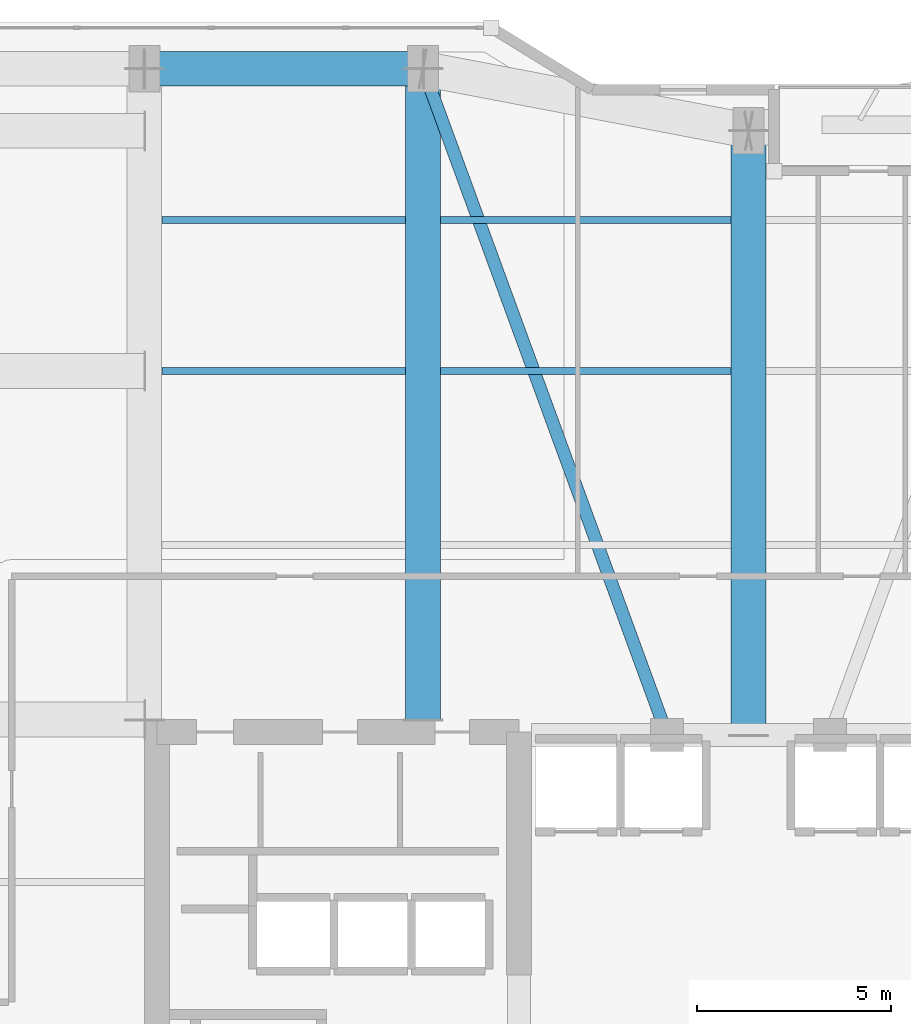
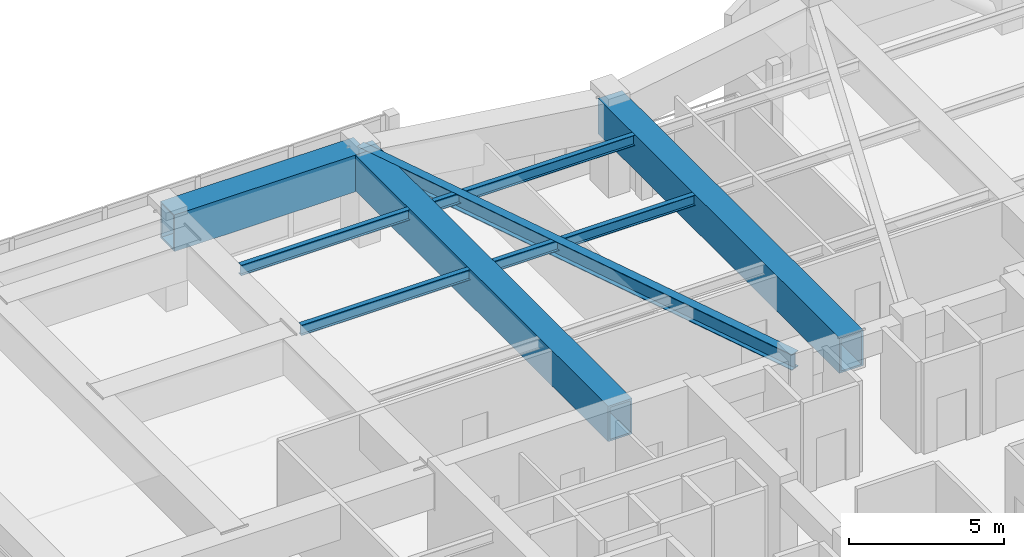
# One storey, part 18 of 30: 8 beams.
"""IFC4 building model written with IfcOpenShell, lengths in metres."""

from ifc_helpers import new_model, si_unit, direction, frame, origin, origin_2d, place, context, subcontext, project, spatial, hollow_rectangle, i_section, extrude, material, material_profile, profile_set, type_object, element, save


model = new_model("IFC4")

# Units and contexts
model_context = context("Model", 3, precision=1e-05, world=origin(), true_north=direction((0.0, 1.0)))
body_context = subcontext(model_context, "Body", "Model", "MODEL_VIEW")
ifc_project = project(units=[si_unit("LENGTHUNIT", "METRE"), si_unit("AREAUNIT", "SQUARE_METRE"), si_unit("VOLUMEUNIT", "CUBIC_METRE"), si_unit("PLANEANGLEUNIT", "RADIAN"), si_unit("MASSUNIT", "GRAM", prefix="KILO")], contexts=[model_context])

# Site, building, storey
site_placement = place(None, origin())
site = spatial("IfcSite", under=ifc_project, at=site_placement, CompositionType="ELEMENT")
building_placement = place(site_placement, origin())
building = spatial("IfcBuilding", under=site, at=building_placement, Name="Kiyonajd Concourse Tower", CompositionType="ELEMENT")
storey_placement = place(building_placement, frame((0.0, 0.0, 205.800048828125)))
storey = spatial("IfcBuildingStorey", under=building, at=storey_placement, Name="L52", CompositionType="ELEMENT", Elevation=205.800048828125)

# Beams
ifc_material_1 = material(Name="Steel ASTM A992 Grade 50", Category="steel")
ifc_material_profile_1 = material_profile(ifc_material_1, i_section(OverallWidth=0.180908203125, OverallDepth=0.4169921875, WebThickness=0.010986328125, FlangeThickness=0.018310546875, at=origin_2d()), Name="W410X85")
ifc_profile_set_1 = profile_set([ifc_material_profile_1], Name="Steel ASTM A992 Grade 50")
beam_type_1 = type_object("IfcBeamType", Name="BM-JST-410", PredefinedType="JOIST", material=ifc_profile_set_1)
beam_1_placement = place(storey_placement, frame((32.85009765625, 53.39990234375, 3.391357421875), z_axis=(1.0, 0.0, 0.0), x_axis=(0.0, 1.0, 0.0)))
element("IfcBeam", 1, at=beam_1_placement, inside=storey, type_object=beam_type_1, Name="L52 Secondary Floor Joist", PredefinedType="JOIST", context=body_context, shape_type="SweptSolid", body=[
    extrude(i_section(OverallWidth=0.180908203125, OverallDepth=0.4169921875, WebThickness=0.010986328125, FlangeThickness=0.018310546875, at=origin_2d()), origin(), (0.0, 0.0, 1.0), 6.2998046875),
])
beam_2_placement = place(storey_placement, frame((40.050048828125, 53.39990234375, 3.391357421875), z_axis=(1.0, 0.0, 0.0), x_axis=(0.0, 1.0, 0.0)))
element("IfcBeam", 2, at=beam_2_placement, inside=storey, type_object=beam_type_1, Name="L52 Secondary Floor Joist", PredefinedType="JOIST", context=body_context, shape_type="SweptSolid", body=[
    extrude(i_section(OverallWidth=0.180908203125, OverallDepth=0.4169921875, WebThickness=0.010986328125, FlangeThickness=0.018310546875, at=origin_2d()), origin(), (0.0, 0.0, 1.0), 7.5),
])
beam_3_placement = place(storey_placement, frame((32.85009765625, 57.300048828125, 3.391357421875), z_axis=(1.0, 0.0, 0.0), x_axis=(0.0, 1.0, 0.0)))
element("IfcBeam", 3, at=beam_3_placement, inside=storey, type_object=beam_type_1, Name="L52 Secondary Floor Joist", PredefinedType="JOIST", context=body_context, shape_type="SweptSolid", body=[
    extrude(i_section(OverallWidth=0.180908203125, OverallDepth=0.4169921875, WebThickness=0.010986328125, FlangeThickness=0.018310546875, at=origin_2d()), origin(), (0.0, 0.0, 1.0), 6.2998046875),
])
beam_4_placement = place(storey_placement, frame((40.050048828125, 57.300048828125, 3.391357421875), z_axis=(1.0, 0.0, 0.0), x_axis=(0.0, 1.0, 0.0)))
element("IfcBeam", 4, at=beam_4_placement, inside=storey, type_object=beam_type_1, Name="L52 Secondary Floor Joist", PredefinedType="JOIST", context=body_context, shape_type="SweptSolid", body=[
    extrude(i_section(OverallWidth=0.180908203125, OverallDepth=0.4169921875, WebThickness=0.010986328125, FlangeThickness=0.018310546875, at=origin_2d()), origin(), (0.0, 0.0, 1.0), 7.5),
])
ifc_material_profile_2 = material_profile(ifc_material_1, i_section(OverallWidth=0.326904296875, OverallDepth=0.6220703125, WebThickness=0.015380859375, FlangeThickness=0.0244140625, at=origin_2d()), Name="W610X195")
ifc_profile_set_2 = profile_set([ifc_material_profile_2], Name="Steel ASTM A992 Grade 50")
beam_type_2 = type_object("IfcBeamType", Name="BM-TWR-610A", PredefinedType="BEAM", material=ifc_profile_set_2)
beam_5_placement = place(storey_placement, frame((39.60009765625, 61.199951171875, 3.2890625), z_axis=(0.343925269715, -0.938997022813, 0.0), x_axis=(0.938997022813, 0.343925269715, 0.0)))
element("IfcBeam", 5, at=beam_5_placement, inside=storey, type_object=beam_type_2, Name="L52 Core Tie Girder", PredefinedType="BEAM", context=body_context, shape_type="SweptSolid", body=[
    extrude(i_section(OverallWidth=0.326904296875, OverallDepth=0.6220703125, WebThickness=0.015380859375, FlangeThickness=0.0244140625, at=origin_2d()), origin(), (0.0, 0.0, 1.0), 18.3173828125),
])
ifc_material_2 = material(Name="Steel ASTM A572 Grade 50", Category="steel")
ifc_material_profile_3 = material_profile(ifc_material_2, hollow_rectangle(XDim=0.89990234375, YDim=1.39990234375, WallThickness=0.070068359375, at=origin_2d()), Name="BOX-1400x900x70")
ifc_profile_set_3 = profile_set([ifc_material_profile_3], Name="Steel ASTM A572 Grade 50")
beam_type_3 = type_object("IfcBeamType", Name="BM-XFER-1400", PredefinedType="BEAM", material=ifc_profile_set_3)
beam_6_placement = place(storey_placement, frame((39.60009765625, 44.39990234375, 2.89990234375), z_axis=(0.0, 1.0, 0.0), x_axis=(-1.0, 0.0, 0.0)))
element("IfcBeam", 6, at=beam_6_placement, inside=storey, type_object=beam_type_3, Name="L52 North Lease Girder", PredefinedType="BEAM", context=body_context, shape_type="SweptSolid", body=[
    extrude(hollow_rectangle(XDim=0.89990234375, YDim=1.39990234375, WallThickness=0.070068359375, at=origin_2d()), origin(), (0.0, 0.0, 1.0), 16.800048828125),
])
beam_7_placement = place(storey_placement, frame((48.0, 44.0, 2.89990234375), z_axis=(0.0, 1.0, 0.0), x_axis=(-1.0, 0.0, 0.0)))
element("IfcBeam", 7, at=beam_7_placement, inside=storey, type_object=beam_type_3, Name="L52 North Ribbon Girder", PredefinedType="BEAM", context=body_context, shape_type="SweptSolid", body=[
    extrude(hollow_rectangle(XDim=0.89990234375, YDim=1.39990234375, WallThickness=0.070068359375, at=origin_2d()), origin(), (0.0, 0.0, 1.0), 15.60009765625),
])
ifc_material_profile_4 = material_profile(ifc_material_2, hollow_rectangle(XDim=0.89990234375, YDim=1.449951171875, WallThickness=0.074951171875, at=origin_2d()), Name="BOX-1450x900x75")
ifc_profile_set_4 = profile_set([ifc_material_profile_4], Name="Steel ASTM A572 Grade 50")
beam_type_4 = type_object("IfcBeamType", Name="BM-XFER-1800", PredefinedType="BEAM", material=ifc_profile_set_4)
beam_8_placement = place(storey_placement, frame((39.60009765625, 61.199951171875, 2.875), z_axis=(-1.0, 0.0, 0.0), x_axis=(0.0, -1.0, 0.0)))
element("IfcBeam", 8, at=beam_8_placement, inside=storey, type_object=beam_type_4, Name="L52 Perimeter Bundled Tube Spandrel", PredefinedType="BEAM", context=body_context, shape_type="SweptSolid", body=[
    extrude(hollow_rectangle(XDim=0.89990234375, YDim=1.449951171875, WallThickness=0.074951171875, at=origin_2d()), origin(), (0.0, 0.0, 1.0), 7.2001953125),
])

save(model, "model.ifc")
